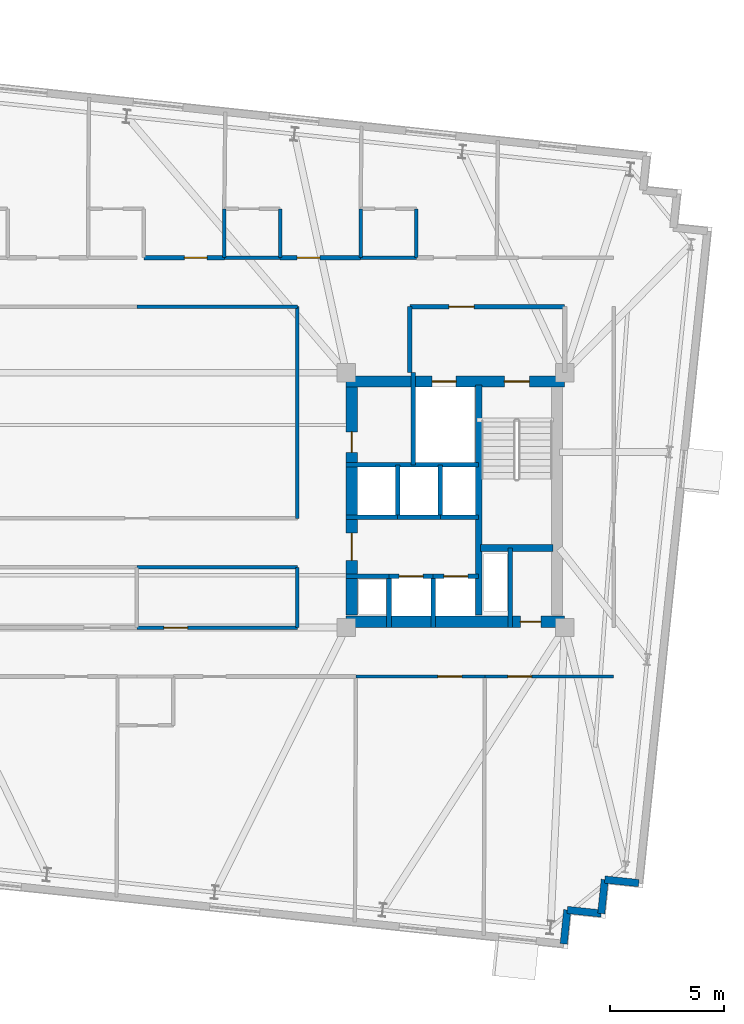
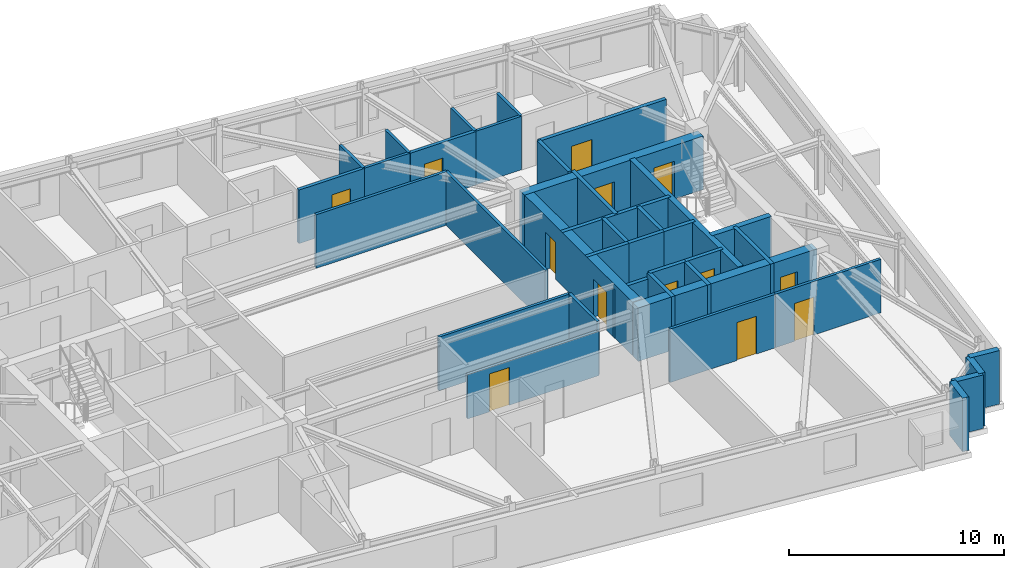
# One storey, part 8 of 13: 39 walls, 13 doors, 13 openings.
"""IFC4 building model written with IfcOpenShell, lengths in metres."""

from ifc_helpers import new_model, si_unit, direction, frame, frame_2d, origin, place, context, subcontext, project, spatial, rectangle, extrude, material, layer, layer_set, type_object, element, fill, save


model = new_model("IFC4")

# Units and contexts
model_context = context("Model", 3, precision=1e-05, world=origin(), true_north=direction((0.0, 1.0)))
body_context = subcontext(model_context, "Body", "Model", "MODEL_VIEW")
ifc_project = project(units=[si_unit("LENGTHUNIT", "METRE"), si_unit("AREAUNIT", "SQUARE_METRE"), si_unit("VOLUMEUNIT", "CUBIC_METRE"), si_unit("PLANEANGLEUNIT", "RADIAN"), si_unit("MASSUNIT", "GRAM", prefix="KILO")], contexts=[model_context])

# Site, building, storey
site_placement = place(None, origin())
site = spatial("IfcSite", under=ifc_project, at=site_placement, CompositionType="ELEMENT")
building_placement = place(site_placement, origin())
building = spatial("IfcBuilding", under=site, at=building_placement, Name="Qobustan Lattice House", CompositionType="ELEMENT")
storey_placement = place(building_placement, frame((0.0, 0.0, 186.35009765625)))
storey = spatial("IfcBuildingStorey", under=building, at=storey_placement, Name="L52", CompositionType="ELEMENT", Elevation=186.35009765625)

# Wall, openings, doors
ifc_material_1 = material(Name="Concrete C50/60", Category="concrete")
ifc_layer_1 = layer(ifc_material_1, 0.5)
ifc_layer_set_1 = layer_set([ifc_layer_1], Name="Concrete C50/60")
wall_type_1 = type_object("IfcWallType", Name="WAL-CORE-500", PredefinedType="SHEAR", material=ifc_layer_set_1)
wall_1_placement = place(storey_placement, frame((9.199951171875, 5.2099609375, 0.0), z_axis=(0.0, 0.0, 1.0), x_axis=(1.0, 0.0, 0.0)))
wall_1 = element("IfcWall", 1, at=wall_1_placement, inside=storey, type_object=wall_type_1, Name="L52 split-core shear wall CE-N", PredefinedType="SHEAR", context=body_context, shape_type="SweptSolid", body=[
    extrude(rectangle(XDim=9.60009765625, YDim=0.5, at=frame_2d((4.800048828125, 0.0))), origin(), (0.0, 0.0, 1.0), 3.039794921875),
])
opening_1_placement = place(wall_1_placement, frame((6.949951171875, 0.0, 0.0)))
opening_1 = element("IfcOpeningElement", 2, at=opening_1_placement, cuts=wall_1, Name="Opening SD-01", PredefinedType="OPENING", context=body_context, shape_type="SweptSolid", body=[
    extrude(rectangle(XDim=1.10009765625, YDim=2.14990234375, at=frame_2d((0.550048828125, 1.074951171875))), frame((0.0, 0.260009765625, 0.0), z_axis=(0.0, -1.0, 0.0), x_axis=(1.0, 0.0, 0.0)), (0.0, 0.0, 1.0), 0.52001953125),
])
opening_2_placement = place(wall_1_placement, frame((3.77490234375, 0.0, 0.0)))
opening_2 = element("IfcOpeningElement", 3, at=opening_2_placement, cuts=wall_1, Name="Opening LD-01", PredefinedType="OPENING", context=body_context, shape_type="SweptSolid", body=[
    extrude(rectangle(XDim=1.050048828125, YDim=2.10009765625, at=frame_2d((0.52490234375, 1.050048828125))), frame((0.0, 0.260009765625, 0.0), z_axis=(0.0, -1.0, 0.0), x_axis=(1.0, 0.0, 0.0)), (0.0, 0.0, 1.0), 0.52001953125),
])
ifc_material_2 = material(Name="Persian walnut timber and steel frame door", Category="steel")
door_type_1 = type_object("IfcDoorType", Name="DOR-LIFT-LD-1050x2100", OperationType="NOTDEFINED", PredefinedType="DOOR", material=ifc_material_2)
door_1_placement = place(opening_2_placement, origin())
door_1 = element("IfcDoor", 4, at=door_1_placement, inside=storey, type_object=door_type_1, Name="L52 firefighting lift FF-E landing door", OperationType="DOUBLE_DOOR_SLIDING", OverallHeight=2.10009765625, OverallWidth=1.050048828125, PredefinedType="DOOR", context=body_context, shape_type="SweptSolid", body=[
    extrude(rectangle(XDim=1.050048828125, YDim=2.10009765625, at=frame_2d((0.52490234375, 1.050048828125))), frame((0.0, 0.02490234375, 0.0), z_axis=(0.0, -1.0, 0.0), x_axis=(1.0, 0.0, 0.0)), (0.0, 0.0, 1.0), 0.050048828125),
])
fill(opening_2, door_1)
ifc_material_3 = material(Name="Persian walnut timber and steel frame door", Category="steel")
door_type_2 = type_object("IfcDoorType", Name="DOR-STAIR-FD-1100x2150", OperationType="NOTDEFINED", PredefinedType="DOOR", material=ifc_material_3)
door_2_placement = place(opening_1_placement, origin())
door_2 = element("IfcDoor", 5, at=door_2_placement, inside=storey, type_object=door_type_2, Name="L52 exit stair ST-E1 fire door", OperationType="SINGLE_SWING_RIGHT", OverallHeight=2.14990234375, OverallWidth=1.10009765625, PredefinedType="DOOR", context=body_context, shape_type="SweptSolid", body=[
    extrude(rectangle(XDim=1.10009765625, YDim=2.14990234375, at=frame_2d((0.550048828125, 1.074951171875))), frame((0.0, 0.02490234375, 0.0), z_axis=(0.0, -1.0, 0.0), x_axis=(1.0, 0.0, 0.0)), (0.0, 0.0, 1.0), 0.050048828125),
])
fill(opening_1, door_2)

# Wall, opening, door
wall_2_placement = place(storey_placement, frame((9.199951171875, -5.35009765625, 0.0), z_axis=(0.0, 0.0, 1.0), x_axis=(1.0, 0.0, 0.0)))
wall_2 = element("IfcWall", 6, at=wall_2_placement, inside=storey, type_object=wall_type_1, Name="L52 split-core shear wall CE-S", PredefinedType="SHEAR", context=body_context, shape_type="SweptSolid", body=[
    extrude(rectangle(XDim=9.60009765625, YDim=0.5, at=frame_2d((4.800048828125, 0.0))), origin(), (0.0, 0.0, 1.0), 3.039794921875),
])
opening_3_placement = place(wall_2_placement, frame((7.64990234375, 0.0, 0.0)))
opening_3 = element("IfcOpeningElement", 7, at=opening_3_placement, cuts=wall_2, Name="Opening RD-01", PredefinedType="OPENING", context=body_context, shape_type="SweptSolid", body=[
    extrude(rectangle(XDim=0.89990234375, YDim=2.10009765625, at=frame_2d((0.449951171875, 1.050048828125))), frame((0.0, 0.260009765625, 0.0), z_axis=(0.0, -1.0, 0.0), x_axis=(1.0, 0.0, 0.0)), (0.0, 0.0, 1.0), 0.52001953125),
])
ifc_material_4 = material(Name="Persian walnut timber and steel frame door", Category="steel")
door_type_3 = type_object("IfcDoorType", Name="DOR-RISER-FD-900x2100", OperationType="NOTDEFINED", PredefinedType="DOOR", material=ifc_material_4)
door_3_placement = place(opening_3_placement, origin())
door_3 = element("IfcDoor", 8, at=door_3_placement, inside=storey, type_object=door_type_3, Name="L52 core service riser access door E", OperationType="SINGLE_SWING_RIGHT", OverallHeight=2.10009765625, OverallWidth=0.89990234375, PredefinedType="DOOR", context=body_context, shape_type="SweptSolid", body=[
    extrude(rectangle(XDim=0.89990234375, YDim=2.10009765625, at=frame_2d((0.449951171875, 1.050048828125))), frame((0.0, 0.02490234375, 0.0), z_axis=(0.0, -1.0, 0.0), x_axis=(1.0, 0.0, 0.0)), (0.0, 0.0, 1.0), 0.050048828125),
])
fill(opening_3, door_3)

# Wall, openings, doors
wall_3_placement = place(storey_placement, frame((9.449951171875, -5.050048828125, 0.0), z_axis=(0.0, 0.0, 1.0), x_axis=(0.0, 1.0, 0.0)))
wall_3 = element("IfcWall", 9, at=wall_3_placement, inside=storey, type_object=wall_type_1, Name="L52 split-core shear wall CE-W", PredefinedType="SHEAR", context=body_context, shape_type="SweptSolid", body=[
    extrude(rectangle(XDim=10.10009765625, YDim=0.5, at=frame_2d((5.050048828125, 0.0))), origin(), (0.0, 0.0, 1.0), 3.039794921875),
])
opening_4_placement = place(wall_3_placement, frame((7.14990234375, 0.0, 0.0)))
opening_4 = element("IfcOpeningElement", 10, at=opening_4_placement, cuts=wall_3, Name="Opening RD-01", PredefinedType="OPENING", context=body_context, shape_type="SweptSolid", body=[
    extrude(rectangle(XDim=0.89990234375, YDim=2.10009765625, at=frame_2d((0.449951171875, 1.050048828125))), frame((0.0, 0.260009765625, 0.0), z_axis=(0.0, -1.0, 0.0), x_axis=(1.0, 0.0, 0.0)), (0.0, 0.0, 1.0), 0.52001953125),
])
opening_5_placement = place(wall_3_placement, frame((2.39990234375, 0.0, 0.0)))
opening_5 = element("IfcOpeningElement", 11, at=opening_5_placement, cuts=wall_3, Name="Opening FD-01", PredefinedType="OPENING", context=body_context, shape_type="SweptSolid", body=[
    extrude(rectangle(XDim=1.199951171875, YDim=2.14990234375, at=frame_2d((0.60009765625, 1.074951171875))), frame((0.0, 0.260009765625, 0.0), z_axis=(0.0, -1.0, 0.0), x_axis=(1.0, 0.0, 0.0)), (0.0, 0.0, 1.0), 0.52001953125),
])
ifc_material_5 = material(Name="Persian walnut timber and steel frame door", Category="steel")
door_type_4 = type_object("IfcDoorType", Name="DOR-LOBBY-FD-1200x2150", OperationType="NOTDEFINED", PredefinedType="DOOR", material=ifc_material_5)
door_4_placement = place(opening_5_placement, origin())
door_4 = element("IfcDoor", 12, at=door_4_placement, inside=storey, type_object=door_type_4, Name="L52 East passenger lift lobby fire door", OperationType="SINGLE_SWING_LEFT", OverallHeight=2.14990234375, OverallWidth=1.199951171875, PredefinedType="DOOR", context=body_context, shape_type="SweptSolid", body=[
    extrude(rectangle(XDim=1.199951171875, YDim=2.14990234375, at=frame_2d((0.60009765625, 1.074951171875))), frame((0.0, 0.02490234375, 0.0), z_axis=(0.0, -1.0, 0.0), x_axis=(1.0, 0.0, 0.0)), (0.0, 0.0, 1.0), 0.050048828125),
])
fill(opening_5, door_4)
door_5_placement = place(opening_4_placement, origin())
door_5 = element("IfcDoor", 13, at=door_5_placement, inside=storey, type_object=door_type_3, Name="L52 Housekeeping linen store fire door", OperationType="SINGLE_SWING_RIGHT", OverallHeight=2.10009765625, OverallWidth=0.89990234375, PredefinedType="DOOR", context=body_context, shape_type="SweptSolid", body=[
    extrude(rectangle(XDim=0.89990234375, YDim=2.10009765625, at=frame_2d((0.449951171875, 1.050048828125))), frame((0.0, 0.02490234375, 0.0), z_axis=(0.0, -1.0, 0.0), x_axis=(1.0, 0.0, 0.0)), (0.0, 0.0, 1.0), 0.050048828125),
])
fill(opening_4, door_5)

# Walls
ifc_material_6 = material(Name="Concrete C50/60", Category="concrete")
ifc_layer_2 = layer(ifc_material_6, 0.280029296875)
ifc_layer_set_2 = layer_set([ifc_layer_2], Name="Concrete C50/60")
wall_type_2 = type_object("IfcWallType", Name="WAL-CORE-SPINE-280", PredefinedType="SHEAR", material=ifc_layer_set_2)
wall_4_placement = place(storey_placement, frame((15.02001953125, -5.050048828125, 0.0), z_axis=(0.0, 0.0, 1.0), x_axis=(0.0, 1.0, 0.0)))
element("IfcWall", 14, at=wall_4_placement, inside=storey, type_object=wall_type_2, Name="L52 split-core shear wall CE-M", PredefinedType="SHEAR", context=body_context, shape_type="SweptSolid", body=[
    extrude(rectangle(XDim=10.10009765625, YDim=0.300048828125, at=frame_2d((5.050048828125, 0.0))), origin(), (0.0, 0.0, 1.0), 3.039794921875),
])
wall_5_placement = place(storey_placement, frame((15.10009765625, -2.110107421875, 0.0), z_axis=(0.0, 0.0, 1.0), x_axis=(1.0, 0.0, 0.0)))
element("IfcWall", 15, at=wall_5_placement, inside=storey, type_object=wall_type_2, Name="L52 split-core shear wall CE-ST", PredefinedType="SHEAR", context=body_context, shape_type="SweptSolid", body=[
    extrude(rectangle(XDim=3.179931640625, YDim=0.300048828125, at=frame_2d((1.58984375, 0.0))), origin(), (0.0, 0.0, 1.0), 3.039794921875),
])
ifc_material_7 = material(Name="Precast concrete C40/50", Category="concrete")
ifc_layer_3 = layer(ifc_material_7, 0.320068359375)
ifc_layer_set_3 = layer_set([ifc_layer_3], Name="Precast concrete C40/50")
wall_type_3 = type_object("IfcWallType", Name="WAL-EXT-STONE-320", PredefinedType="SOLIDWALL", material=ifc_layer_set_3)
wall_6_placement = place(storey_placement, frame((22.052978515625, -16.828369140625, 0.0), z_axis=(0.0, 0.0, 1.0), x_axis=(-0.994526834051, 0.104481464157, 0.0)))
element("IfcWall", 16, at=wall_6_placement, inside=storey, type_object=wall_type_3, Name="L52 exterior limestone-clad wall 16", PredefinedType="SOLIDWALL", context=body_context, shape_type="SweptSolid", body=[
    extrude(rectangle(XDim=1.500244140625, YDim=0.320068359375, at=frame_2d((0.75, 0.0))), origin(), (0.0, 0.0, 1.0), 3.039794921875),
])
for number, where, z_axis, x_axis, name in (
    (17, (20.56103515625, -16.671630859375, 0.0), (0.0, 0.0, 1.0), (-0.104498377516, -0.994525057048, 0.0), "L52 exterior limestone-clad wall 17"),
    (18, (20.404296875, -18.163330078125, 0.0), (0.0, 0.0, 1.0), (-0.994525057048, 0.104498377516, 0.0), "L52 exterior limestone-clad wall 18"),
    (19, (18.91259765625, -18.006591796875, 0.0), (0.0, 0.0, 1.0), (-0.104498377516, -0.994525057048, 0.0), "L52 exterior limestone-clad wall 19"),
):
    element("IfcWall", number, at=place(storey_placement, frame(where, z_axis=z_axis, x_axis=x_axis)), inside=storey, type_object=wall_type_3, Name=name, PredefinedType="SOLIDWALL", context=body_context, shape_type="SweptSolid", body=[
        extrude(rectangle(XDim=1.5, YDim=0.320068359375, at=frame_2d((0.75, 0.0))), origin(), (0.0, 0.0, 1.0), 3.039794921875),
    ])

# Wall, opening, door
ifc_material_8 = material(Name="Gypsum fireboard acoustic partition", Category="gypsum")
ifc_layer_4 = layer(ifc_material_8, 0.179931640625)
ifc_layer_set_4 = layer_set([ifc_layer_4], Name="Gypsum fireboard acoustic partition")
wall_type_4 = type_object("IfcWallType", Name="WAL-FIRE-180", PredefinedType="PARTITIONING", material=ifc_layer_set_4)
wall_7_placement = place(storey_placement, frame((0.306884765625, 10.64990234375, 0.0), z_axis=(0.0, 0.0, 1.0), x_axis=(1.0, 0.0, 0.0)))
wall_7 = element("IfcWall", 20, at=wall_7_placement, inside=storey, type_object=wall_type_4, Name="L52 interior partition 40", PredefinedType="PARTITIONING", context=body_context, shape_type="SweptSolid", body=[
    extrude(rectangle(XDim=3.5361328125, YDim=0.179931640625, at=frame_2d((1.76806640625, 0.0))), origin(), (0.0, 0.0, 1.0), 3.039794921875),
])
opening_6_placement = place(wall_7_placement, frame((1.783935546875, 0.0, 0.0)))
opening_6 = element("IfcOpeningElement", 21, at=opening_6_placement, cuts=wall_7, Name="Opening FD-02", PredefinedType="OPENING", context=body_context, shape_type="SweptSolid", body=[
    extrude(rectangle(XDim=1.0, YDim=2.14990234375, at=frame_2d((0.5, 1.074951171875))), frame((0.0, 0.099853515625, 0.0), z_axis=(0.0, -1.0, 0.0), x_axis=(1.0, 0.0, 0.0)), (0.0, 0.0, 1.0), 0.199951171875),
])
ifc_material_9 = material(Name="Persian walnut timber and steel frame door", Category="steel")
door_type_5 = type_object("IfcDoorType", Name="DOR-UNIT-FD-1000x2150", OperationType="NOTDEFINED", PredefinedType="DOOR", material=ifc_material_9)
door_6_placement = place(opening_6_placement, origin())
door_6 = element("IfcDoor", 22, at=door_6_placement, inside=storey, type_object=door_type_5, Name="L52 North-east floor corridor to Kitchenette and studio apartment L52-N4 door", OperationType="SINGLE_SWING_LEFT", OverallHeight=2.14990234375, OverallWidth=1.0, PredefinedType="DOOR", context=body_context, shape_type="SweptSolid", body=[
    extrude(rectangle(XDim=1.0, YDim=2.14990234375, at=frame_2d((0.5, 1.074951171875))), frame((0.0, 0.02490234375, 0.0), z_axis=(0.0, -1.0, 0.0), x_axis=(1.0, 0.0, 0.0)), (0.0, 0.0, 1.0), 0.050048828125),
])
fill(opening_6, door_6)

wall_8_placement = place(storey_placement, frame((6.29296875, 10.64990234375, 0.0), z_axis=(0.0, 0.0, 1.0), x_axis=(1.0, 0.0, 0.0)))
wall_8 = element("IfcWall", 23, at=wall_8_placement, inside=storey, type_object=wall_type_4, Name="L52 interior partition 41", PredefinedType="PARTITIONING", context=body_context, shape_type="SweptSolid", body=[
    extrude(rectangle(XDim=3.5361328125, YDim=0.179931640625, at=frame_2d((1.76806640625, 0.0))), origin(), (0.0, 0.0, 1.0), 3.039794921875),
])
opening_7_placement = place(wall_8_placement, frame((0.751953125, 0.0, 0.0)))
opening_7 = element("IfcOpeningElement", 24, at=opening_7_placement, cuts=wall_8, Name="Opening FD-02", PredefinedType="OPENING", context=body_context, shape_type="SweptSolid", body=[
    extrude(rectangle(XDim=1.0, YDim=2.14990234375, at=frame_2d((0.5, 1.074951171875))), frame((0.0, 0.099853515625, 0.0), z_axis=(0.0, -1.0, 0.0), x_axis=(1.0, 0.0, 0.0)), (0.0, 0.0, 1.0), 0.199951171875),
])
door_7_placement = place(opening_7_placement, origin())
door_7 = element("IfcDoor", 25, at=door_7_placement, inside=storey, type_object=door_type_5, Name="L52 North-east floor corridor to Kitchenette and studio apartment L52-N5 door", OperationType="SINGLE_SWING_RIGHT", OverallHeight=2.14990234375, OverallWidth=1.0, PredefinedType="DOOR", context=body_context, shape_type="SweptSolid", body=[
    extrude(rectangle(XDim=1.0, YDim=2.14990234375, at=frame_2d((0.5, 1.074951171875))), frame((0.0, 0.02490234375, 0.0), z_axis=(0.0, -1.0, 0.0), x_axis=(1.0, 0.0, 0.0)), (0.0, 0.0, 1.0), 0.050048828125),
])
fill(opening_7, door_7)

# Wall
ifc_material_10 = material(Name="Acoustic twin-stud gypsum partition", Category="gypsum")
ifc_layer_5 = layer(ifc_material_10, 0.14990234375)
ifc_layer_set_5 = layer_set([ifc_layer_5], Name="Acoustic twin-stud gypsum partition")
wall_type_5 = type_object("IfcWallType", Name="WAL-PART-150", PredefinedType="PARTITIONING", material=ifc_layer_set_5)
wall_9_placement = place(storey_placement, frame((7.050048828125, 8.5, 0.0), z_axis=(0.0, 0.0, 1.0), x_axis=(-1.0, 0.0, 0.0)))
element("IfcWall", 26, at=wall_9_placement, inside=storey, type_object=wall_type_5, Name="L52 interior partition 46", PredefinedType="PARTITIONING", context=body_context, shape_type="SweptSolid", body=[
    extrude(rectangle(XDim=7.050048828125, YDim=0.14990234375, at=frame_2d((3.52490234375, 0.0))), origin(), (0.0, 0.0, 1.0), 3.039794921875),
])

# Wall, opening, door
wall_10_placement = place(storey_placement, frame((15.28759765625, -7.75, 0.0), z_axis=(0.0, 0.0, 1.0), x_axis=(-1.0, 0.0, 0.0)))
wall_10 = element("IfcWall", 27, at=wall_10_placement, inside=storey, type_object=wall_type_5, Name="L52 interior partition 55", PredefinedType="PARTITIONING", context=body_context, shape_type="SweptSolid", body=[
    extrude(rectangle(XDim=5.66259765625, YDim=0.14990234375, at=frame_2d((2.831298828125, 0.0))), origin(), (0.0, 0.0, 1.0), 3.039794921875),
])
opening_8_placement = place(wall_10_placement, frame((1.01171875, 0.0, 0.0)))
opening_8 = element("IfcOpeningElement", 28, at=opening_8_placement, cuts=wall_10, Name="Opening ID-02", PredefinedType="OPENING", context=body_context, shape_type="SweptSolid", body=[
    extrude(rectangle(XDim=1.050048828125, YDim=2.14990234375, at=frame_2d((0.52490234375, 1.074951171875))), frame((0.0, 0.0849609375, 0.0), z_axis=(0.0, -1.0, 0.0), x_axis=(1.0, 0.0, 0.0)), (0.0, 0.0, 1.0), 0.169921875),
])
ifc_material_11 = material(Name="Persian walnut timber and steel frame door", Category="steel")
door_type_6 = type_object("IfcDoorType", Name="DOR-STUDY-1050x2150", OperationType="NOTDEFINED", PredefinedType="DOOR", material=ifc_material_11)
door_8_placement = place(opening_8_placement, origin())
door_8 = element("IfcDoor", 29, at=door_8_placement, inside=storey, type_object=door_type_6, Name="L52 South-east floor corridor to Group study room door", OperationType="SINGLE_SWING_RIGHT", OverallHeight=2.14990234375, OverallWidth=1.050048828125, PredefinedType="DOOR", context=body_context, shape_type="SweptSolid", body=[
    extrude(rectangle(XDim=1.050048828125, YDim=2.14990234375, at=frame_2d((0.52490234375, 1.074951171875))), frame((0.0, 0.02490234375, 0.0), z_axis=(0.0, -1.0, 0.0), x_axis=(1.0, 0.0, 0.0)), (0.0, 0.0, 1.0), 0.050048828125),
])
fill(opening_8, door_8)

wall_11_placement = place(storey_placement, frame((20.949951171875, -7.75, 0.0), z_axis=(0.0, 0.0, 1.0), x_axis=(-1.0, 0.0, 0.0)))
wall_11 = element("IfcWall", 30, at=wall_11_placement, inside=storey, type_object=wall_type_5, Name="L52 interior partition 56", PredefinedType="PARTITIONING", context=body_context, shape_type="SweptSolid", body=[
    extrude(rectangle(XDim=5.662353515625, YDim=0.14990234375, at=frame_2d((2.8310546875, 0.0))), origin(), (0.0, 0.0, 1.0), 3.039794921875),
])
opening_9_placement = place(wall_11_placement, frame((3.600830078125, 0.0, 0.0)))
opening_9 = element("IfcOpeningElement", 31, at=opening_9_placement, cuts=wall_11, Name="Opening ID-02", PredefinedType="OPENING", context=body_context, shape_type="SweptSolid", body=[
    extrude(rectangle(XDim=1.050048828125, YDim=2.14990234375, at=frame_2d((0.52490234375, 1.074951171875))), frame((0.0, 0.0849609375, 0.0), z_axis=(0.0, -1.0, 0.0), x_axis=(1.0, 0.0, 0.0)), (0.0, 0.0, 1.0), 0.169921875),
])
door_9_placement = place(opening_9_placement, origin())
door_9 = element("IfcDoor", 32, at=door_9_placement, inside=storey, type_object=door_type_6, Name="L52 South-east floor corridor to Academic seminar room door", OperationType="SINGLE_SWING_LEFT", OverallHeight=2.14990234375, OverallWidth=1.050048828125, PredefinedType="DOOR", context=body_context, shape_type="SweptSolid", body=[
    extrude(rectangle(XDim=1.050048828125, YDim=2.14990234375, at=frame_2d((0.52490234375, 1.074951171875))), frame((0.0, 0.02490234375, 0.0), z_axis=(0.0, -1.0, 0.0), x_axis=(1.0, 0.0, 0.0)), (0.0, 0.0, 1.0), 0.050048828125),
])
fill(opening_9, door_9)

wall_12_placement = place(storey_placement, frame((0.0, -5.60009765625, 0.0), z_axis=(0.0, 0.0, 1.0), x_axis=(1.0, 0.0, 0.0)))
wall_12 = element("IfcWall", 33, at=wall_12_placement, inside=storey, type_object=wall_type_5, Name="L52 interior partition 57", PredefinedType="PARTITIONING", context=body_context, shape_type="SweptSolid", body=[
    extrude(rectangle(XDim=7.050048828125, YDim=0.14990234375, at=frame_2d((3.52490234375, 0.0))), origin(), (0.0, 0.0, 1.0), 2.52490234375),
])
opening_10_placement = place(wall_12_placement, frame((1.18505859375, 0.0, 0.0)))
opening_10 = element("IfcOpeningElement", 34, at=opening_10_placement, cuts=wall_12, Name="Opening ID-02", PredefinedType="OPENING", context=body_context, shape_type="SweptSolid", body=[
    extrude(rectangle(XDim=1.050048828125, YDim=2.14990234375, at=frame_2d((0.52490234375, 1.074951171875))), frame((0.0, 0.0849609375, 0.0), z_axis=(0.0, -1.0, 0.0), x_axis=(1.0, 0.0, 0.0)), (0.0, 0.0, 1.0), 0.169921875),
])
door_10_placement = place(opening_10_placement, origin())
door_10 = element("IfcDoor", 35, at=door_10_placement, inside=storey, type_object=door_type_6, Name="L52 South-east floor corridor to Silent study room door", OperationType="SINGLE_SWING_RIGHT", OverallHeight=2.14990234375, OverallWidth=1.050048828125, PredefinedType="DOOR", context=body_context, shape_type="SweptSolid", body=[
    extrude(rectangle(XDim=1.050048828125, YDim=2.14990234375, at=frame_2d((0.52490234375, 1.074951171875))), frame((0.0, 0.02490234375, 0.0), z_axis=(0.0, -1.0, 0.0), x_axis=(1.0, 0.0, 0.0)), (0.0, 0.0, 1.0), 0.050048828125),
])
fill(opening_10, door_10)

# Walls
wall_13_placement = place(storey_placement, frame((7.050048828125, -2.949951171875, 0.0), z_axis=(0.0, 0.0, 1.0), x_axis=(-1.0, 0.0, 0.0)))
element("IfcWall", 36, at=wall_13_placement, inside=storey, type_object=wall_type_5, Name="L52 interior partition 62", PredefinedType="PARTITIONING", context=body_context, shape_type="SweptSolid", body=[
    extrude(rectangle(XDim=7.050048828125, YDim=0.14990234375, at=frame_2d((3.52490234375, 0.0))), origin(), (0.0, 0.0, 1.0), 3.039794921875),
])
wall_14_placement = place(storey_placement, frame((7.050048828125, -0.800048828125, 0.0), z_axis=(0.0, 0.0, 1.0), x_axis=(0.0, 1.0, 0.0)))
element("IfcWall", 37, at=wall_14_placement, inside=storey, type_object=wall_type_5, Name="L52 interior partition 65", PredefinedType="PARTITIONING", context=body_context, shape_type="SweptSolid", body=[
    extrude(rectangle(XDim=9.300048828125, YDim=0.14990234375, at=frame_2d((4.64990234375, 0.0))), origin(), (0.0, 0.0, 1.0), 3.039794921875),
])
wall_15_placement = place(storey_placement, frame((7.050048828125, -5.60009765625, 0.0), z_axis=(0.0, 0.0, 1.0), x_axis=(0.0, 1.0, 0.0)))
element("IfcWall", 38, at=wall_15_placement, inside=storey, type_object=wall_type_5, Name="L52 interior partition 66", PredefinedType="PARTITIONING", context=body_context, shape_type="SweptSolid", body=[
    extrude(rectangle(XDim=2.650146484375, YDim=0.14990234375, at=frame_2d((1.3251953125, 0.0))), origin(), (0.0, 0.0, 1.0), 3.039794921875),
])

# Wall, opening, door
ifc_material_12 = material(Name="Two-hour gypsum fireboard acoustic partition", Category="gypsum")
ifc_layer_6 = layer(ifc_material_12, 0.199951171875)
ifc_layer_set_6 = layer_set([ifc_layer_6], Name="Two-hour gypsum fireboard acoustic partition")
wall_type_6 = type_object("IfcWallType", Name="WAL-PROT-200", PredefinedType="PARTITIONING", material=ifc_layer_set_6)
wall_16_placement = place(storey_placement, frame((18.800048828125, 8.5, 0.0), z_axis=(0.0, 0.0, 1.0), x_axis=(-1.0, 0.0, 0.0)))
wall_16 = element("IfcWall", 39, at=wall_16_placement, inside=storey, type_object=wall_type_6, Name="L52 interior partition 17", PredefinedType="PARTITIONING", context=body_context, shape_type="SweptSolid", body=[
    extrude(rectangle(XDim=6.800048828125, YDim=0.199951171875, at=frame_2d((3.39990234375, 0.0))), origin(), (0.0, 0.0, 1.0), 3.039794921875),
])
opening_11_placement = place(wall_16_placement, frame((3.985107421875, 0.0, 0.0)))
opening_11 = element("IfcOpeningElement", 40, at=opening_11_placement, cuts=wall_16, Name="Opening SD-01", PredefinedType="OPENING", context=body_context, shape_type="SweptSolid", body=[
    extrude(rectangle(XDim=1.10009765625, YDim=2.14990234375, at=frame_2d((0.550048828125, 1.074951171875))), frame((0.0, 0.10986328125, 0.0), z_axis=(0.0, -1.0, 0.0), x_axis=(1.0, 0.0, 0.0)), (0.0, 0.0, 1.0), 0.219970703125),
])
door_11_placement = place(opening_11_placement, origin())
door_11 = element("IfcDoor", 41, at=door_11_placement, inside=storey, type_object=door_type_2, Name="L52 East firefighting lift lobby to North-east floor corridor door", OperationType="SINGLE_SWING_LEFT", OverallHeight=2.14990234375, OverallWidth=1.10009765625, PredefinedType="DOOR", context=body_context, shape_type="SweptSolid", body=[
    extrude(rectangle(XDim=1.10009765625, YDim=2.14990234375, at=frame_2d((0.550048828125, 1.074951171875))), frame((0.0, 0.02490234375, 0.0), z_axis=(0.0, -1.0, 0.0), x_axis=(1.0, 0.0, 0.0)), (0.0, 0.0, 1.0), 0.050048828125),
])
fill(opening_11, door_11)

# Walls
wall_17_placement = place(storey_placement, frame((12.0, 8.5, 0.0), z_axis=(0.0, 0.0, 1.0), x_axis=(0.0, -1.0, 0.0)))
element("IfcWall", 42, at=wall_17_placement, inside=storey, type_object=wall_type_6, Name="L52 interior partition 19", PredefinedType="PARTITIONING", context=body_context, shape_type="SweptSolid", body=[
    extrude(rectangle(XDim=2.89990234375, YDim=0.199951171875, at=frame_2d((1.449951171875, 0.0))), origin(), (0.0, 0.0, 1.0), 3.039794921875),
])
ifc_material_13 = material(Name="Concrete C40/50", Category="concrete")
ifc_layer_7 = layer(ifc_material_13, 0.199951171875)
ifc_layer_set_7 = layer_set([ifc_layer_7], Name="Concrete C40/50")
wall_type_7 = type_object("IfcWallType", Name="WAL-SHAFT-200", PredefinedType="PARTITIONING", material=ifc_layer_set_7)
wall_18_placement = place(storey_placement, frame((16.39990234375, -2.110107421875, 0.0), z_axis=(0.0, 0.0, 1.0), x_axis=(0.0, -1.0, 0.0)))
element("IfcWall", 43, at=wall_18_placement, inside=storey, type_object=wall_type_7, Name="L52 interior partition 15", PredefinedType="PARTITIONING", context=body_context, shape_type="SweptSolid", body=[
    extrude(rectangle(XDim=3.489990234375, YDim=0.199951171875, at=frame_2d((1.7451171875, 0.0))), origin(), (0.0, 0.0, 1.0), 3.039794921875),
])
wall_19_placement = place(storey_placement, frame((12.14990234375, 5.60009765625, 0.0), z_axis=(0.0, 0.0, 1.0), x_axis=(0.0, -1.0, 0.0)))
element("IfcWall", 44, at=wall_19_placement, inside=storey, type_object=wall_type_7, Name="L52 interior partition 16", PredefinedType="PARTITIONING", context=body_context, shape_type="SweptSolid", body=[
    extrude(rectangle(XDim=4.050048828125, YDim=0.199951171875, at=frame_2d((2.02490234375, 0.0))), origin(), (0.0, 0.0, 1.0), 3.039794921875),
])
wall_20_placement = place(storey_placement, frame((9.199951171875, -3.35009765625, 0.0), z_axis=(0.0, 0.0, 1.0), x_axis=(1.0, 0.0, 0.0)))
element("IfcWall", 45, at=wall_20_placement, inside=storey, type_object=wall_type_7, Name="L52 interior partition 21", PredefinedType="PARTITIONING", context=body_context, shape_type="SweptSolid", body=[
    extrude(rectangle(XDim=1.880126953125, YDim=0.199951171875, at=frame_2d((0.93994140625, 0.0))), origin(), (0.0, 0.0, 1.0), 2.7548828125),
])

# Wall, opening, door
wall_21_placement = place(storey_placement, frame((11.080078125, -3.35009765625, 0.0), z_axis=(0.0, 0.0, 1.0), x_axis=(1.0, 0.0, 0.0)))
wall_21 = element("IfcWall", 46, at=wall_21_placement, inside=storey, type_object=wall_type_7, Name="L52 interior partition 22", PredefinedType="PARTITIONING", context=body_context, shape_type="SweptSolid", body=[
    extrude(rectangle(XDim=1.93994140625, YDim=0.199951171875, at=frame_2d((0.969970703125, 0.0))), origin(), (0.0, 0.0, 1.0), 3.039794921875),
])
opening_12_placement = place(wall_21_placement, frame((0.445068359375, 0.0, 0.0)))
opening_12 = element("IfcOpeningElement", 47, at=opening_12_placement, cuts=wall_21, Name="Opening LD-01", PredefinedType="OPENING", context=body_context, shape_type="SweptSolid", body=[
    extrude(rectangle(XDim=1.050048828125, YDim=2.10009765625, at=frame_2d((0.52490234375, 1.050048828125))), frame((0.0, 0.10986328125, 0.0), z_axis=(0.0, -1.0, 0.0), x_axis=(1.0, 0.0, 0.0)), (0.0, 0.0, 1.0), 0.219970703125),
])
door_12_placement = place(opening_12_placement, origin())
door_12 = element("IfcDoor", 48, at=door_12_placement, inside=storey, type_object=door_type_1, Name="L52 lift landing door", OperationType="DOUBLE_DOOR_SLIDING", OverallHeight=2.10009765625, OverallWidth=1.050048828125, PredefinedType="DOOR", context=body_context, shape_type="SweptSolid", body=[
    extrude(rectangle(XDim=1.050048828125, YDim=2.10009765625, at=frame_2d((0.52490234375, 1.050048828125))), frame((0.0, 0.02490234375, 0.0), z_axis=(0.0, -1.0, 0.0), x_axis=(1.0, 0.0, 0.0)), (0.0, 0.0, 1.0), 0.050048828125),
])
fill(opening_12, door_12)

wall_22_placement = place(storey_placement, frame((13.02001953125, -3.35009765625, 0.0), z_axis=(0.0, 0.0, 1.0), x_axis=(1.0, 0.0, 0.0)))
wall_22 = element("IfcWall", 49, at=wall_22_placement, inside=storey, type_object=wall_type_7, Name="L52 interior partition 23", PredefinedType="PARTITIONING", context=body_context, shape_type="SweptSolid", body=[
    extrude(rectangle(XDim=2.0, YDim=0.199951171875, at=frame_2d((1.0, 0.0))), origin(), (0.0, 0.0, 1.0), 3.039794921875),
])
opening_13_placement = place(wall_22_placement, frame((0.47509765625, 0.0, 0.0)))
opening_13 = element("IfcOpeningElement", 50, at=opening_13_placement, cuts=wall_22, Name="Opening LD-01", PredefinedType="OPENING", context=body_context, shape_type="SweptSolid", body=[
    extrude(rectangle(XDim=1.050048828125, YDim=2.10009765625, at=frame_2d((0.52490234375, 1.050048828125))), frame((0.0, 0.10986328125, 0.0), z_axis=(0.0, -1.0, 0.0), x_axis=(1.0, 0.0, 0.0)), (0.0, 0.0, 1.0), 0.219970703125),
])
door_13_placement = place(opening_13_placement, origin())
door_13 = element("IfcDoor", 51, at=door_13_placement, inside=storey, type_object=door_type_1, Name="L52 lift landing door", OperationType="DOUBLE_DOOR_SLIDING", OverallHeight=2.10009765625, OverallWidth=1.050048828125, PredefinedType="DOOR", context=body_context, shape_type="SweptSolid", body=[
    extrude(rectangle(XDim=1.050048828125, YDim=2.10009765625, at=frame_2d((0.52490234375, 1.050048828125))), frame((0.0, 0.02490234375, 0.0), z_axis=(0.0, -1.0, 0.0), x_axis=(1.0, 0.0, 0.0)), (0.0, 0.0, 1.0), 0.050048828125),
])
fill(opening_13, door_13)

# Walls
wall_23_placement = place(storey_placement, frame((11.4599609375, -0.75, 0.0), z_axis=(0.0, 0.0, 1.0), x_axis=(-1.0, 0.0, 0.0)))
element("IfcWall", 52, at=wall_23_placement, inside=storey, type_object=wall_type_7, Name="L52 interior partition 24", PredefinedType="PARTITIONING", context=body_context, shape_type="SweptSolid", body=[
    extrude(rectangle(XDim=2.260009765625, YDim=0.199951171875, at=frame_2d((1.1298828125, 0.0))), origin(), (0.0, 0.0, 1.0), 3.039794921875),
])
wall_24_placement = place(storey_placement, frame((13.340087890625, -0.75, 0.0), z_axis=(0.0, 0.0, 1.0), x_axis=(-1.0, 0.0, 0.0)))
element("IfcWall", 53, at=wall_24_placement, inside=storey, type_object=wall_type_7, Name="L52 interior partition 25", PredefinedType="PARTITIONING", context=body_context, shape_type="SweptSolid", body=[
    extrude(rectangle(XDim=1.880126953125, YDim=0.199951171875, at=frame_2d((0.93994140625, 0.0))), origin(), (0.0, 0.0, 1.0), 3.039794921875),
])
wall_25_placement = place(storey_placement, frame((15.02001953125, -0.75, 0.0), z_axis=(0.0, 0.0, 1.0), x_axis=(-1.0, 0.0, 0.0)))
element("IfcWall", 54, at=wall_25_placement, inside=storey, type_object=wall_type_7, Name="L52 interior partition 26", PredefinedType="PARTITIONING", context=body_context, shape_type="SweptSolid", body=[
    extrude(rectangle(XDim=1.679931640625, YDim=0.199951171875, at=frame_2d((0.83984375, 0.0))), origin(), (0.0, 0.0, 1.0), 3.039794921875),
])
for number, where, z_axis, x_axis, name in (
    (55, (11.080078125, -5.60009765625, 0.0), (0.0, 0.0, 1.0), (0.0, 1.0, 0.0), "L52 interior partition 28"),
    (56, (13.02001953125, -5.60009765625, 0.0), (0.0, 0.0, 1.0), (0.0, 1.0, 0.0), "L52 interior partition 29"),
):
    element("IfcWall", number, at=place(storey_placement, frame(where, z_axis=z_axis, x_axis=x_axis)), inside=storey, type_object=wall_type_7, Name=name, PredefinedType="PARTITIONING", context=body_context, shape_type="SweptSolid", body=[
        extrude(rectangle(XDim=2.25, YDim=0.199951171875, at=frame_2d((1.125, 0.0))), origin(), (0.0, 0.0, 1.0), 3.039794921875),
    ])
for number, where, z_axis, x_axis, name in (
    (57, (11.4599609375, -0.75, 0.0), (0.0, 0.0, 1.0), (0.0, 1.0, 0.0), "L52 interior partition 30"),
    (58, (13.340087890625, -0.75, 0.0), (0.0, 0.0, 1.0), (0.0, 1.0, 0.0), "L52 interior partition 31"),
):
    element("IfcWall", number, at=place(storey_placement, frame(where, z_axis=z_axis, x_axis=x_axis)), inside=storey, type_object=wall_type_7, Name=name, PredefinedType="PARTITIONING", context=body_context, shape_type="SweptSolid", body=[
        extrude(rectangle(XDim=2.300048828125, YDim=0.199951171875, at=frame_2d((1.14990234375, 0.0))), origin(), (0.0, 0.0, 1.0), 3.039794921875),
    ])
wall_26_placement = place(storey_placement, frame((9.199951171875, 1.550048828125, 0.0), z_axis=(0.0, 0.0, 1.0), x_axis=(1.0, 0.0, 0.0)))
element("IfcWall", 59, at=wall_26_placement, inside=storey, type_object=wall_type_7, Name="L52 interior partition 113", PredefinedType="PARTITIONING", context=body_context, shape_type="SweptSolid", body=[
    extrude(rectangle(XDim=5.820068359375, YDim=0.199951171875, at=frame_2d((2.91015625, 0.0))), origin(), (0.0, 0.0, 1.0), 3.039794921875),
])
ifc_material_14 = material(Name="Moisture-resistant acoustic plumbing wall", Category="gypsum")
ifc_layer_8 = layer(ifc_material_14, 0.14990234375)
ifc_layer_set_8 = layer_set([ifc_layer_8], Name="Moisture-resistant acoustic plumbing wall")
wall_type_8 = type_object("IfcWallType", Name="WAL-WET-150", PredefinedType="PLUMBINGWALL", material=ifc_layer_set_8)
for number, where, z_axis, x_axis, name in (
    (60, (3.843017578125, 10.64990234375, 0.0), (0.0, 0.0, 1.0), (1.0, 0.0, 0.0), "L52 interior partition 42"),
    (61, (9.8291015625, 10.64990234375, 0.0), (0.0, 0.0, 1.0), (1.0, 0.0, 0.0), "L52 interior partition 44"),
):
    element("IfcWall", number, at=place(storey_placement, frame(where, z_axis=z_axis, x_axis=x_axis)), inside=storey, type_object=wall_type_8, Name=name, PredefinedType="PLUMBINGWALL", context=body_context, shape_type="SweptSolid", body=[
        extrude(rectangle(XDim=2.449951171875, YDim=0.14990234375, at=frame_2d((1.22509765625, 0.0))), origin(), (0.0, 0.0, 1.0), 3.039794921875),
    ])
for number, where, z_axis, x_axis, name in (
    (62, (3.843017578125, 12.800048828125, 0.0), (0.0, 0.0, 1.0), (0.0, -1.0, 0.0), "L52 interior partition 93"),
    (63, (6.29296875, 10.64990234375, 0.0), (0.0, 0.0, 1.0), (0.0, 1.0, 0.0), "L52 interior partition 95"),
    (64, (9.8291015625, 12.800048828125, 0.0), (0.0, 0.0, 1.0), (0.0, -1.0, 0.0), "L52 interior partition 97"),
    (65, (12.279052734375, 10.64990234375, 0.0), (0.0, 0.0, 1.0), (0.0, 1.0, 0.0), "L52 interior partition 99"),
):
    element("IfcWall", number, at=place(storey_placement, frame(where, z_axis=z_axis, x_axis=x_axis)), inside=storey, type_object=wall_type_8, Name=name, PredefinedType="PLUMBINGWALL", context=body_context, shape_type="SweptSolid", body=[
        extrude(rectangle(XDim=2.150146484375, YDim=0.14990234375, at=frame_2d((1.0751953125, 0.0))), origin(), (0.0, 0.0, 1.0), 3.039794921875),
    ])

save(model, "model.ifc")
